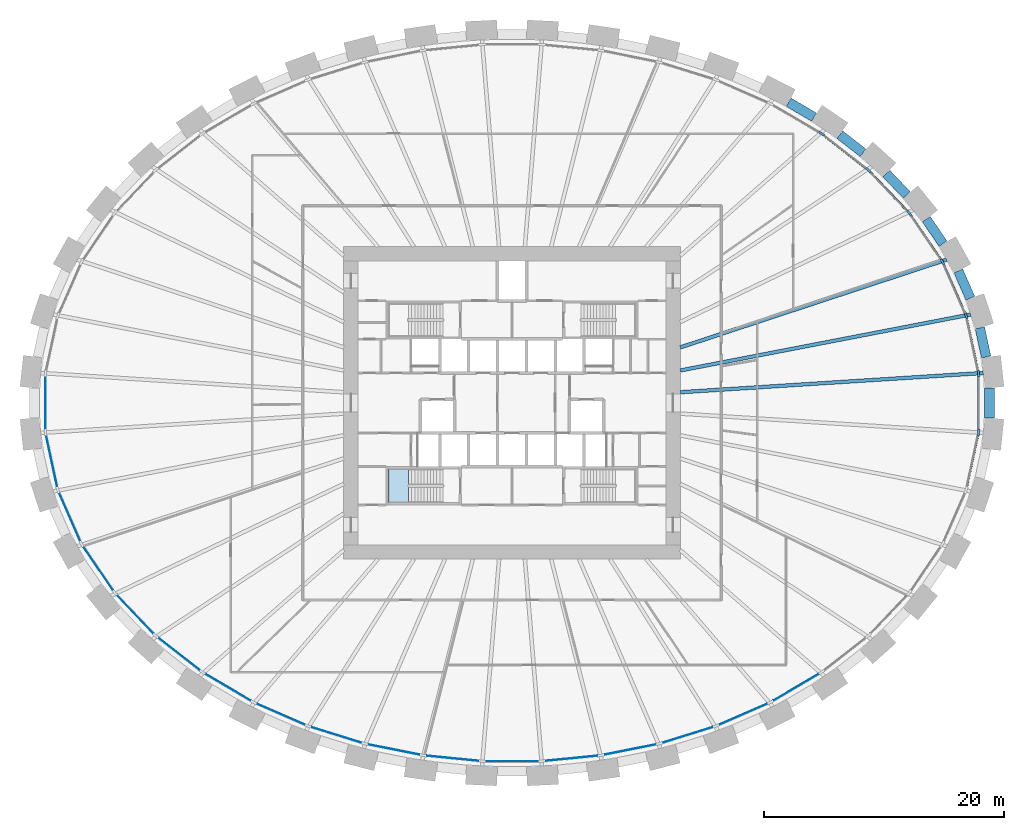
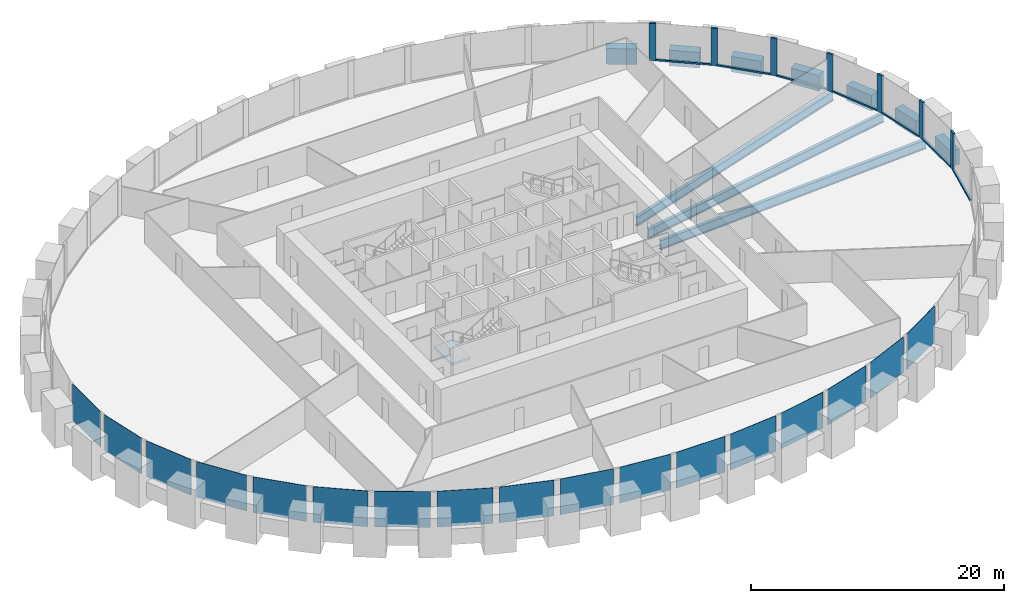
# One storey, part 4 of 11: 17 plates, 14 members, 10 beams, 1 slab, 2 elements without a shape of their own.
"""IFC4 building model written with IfcOpenShell, lengths in metres."""

from ifc_helpers import new_model, si_unit, direction, frame, origin, origin_2d, place, context, subcontext, project, spatial, polyline, rectangle, i_section, outline, extrude, source, transform, mapped, material, layer, layer_set, material_profile, profile_set, type_object, element, aggregate, save


model = new_model("IFC4")

# Units and contexts
model_context = context("Model", 3, precision=1e-05, world=origin(), true_north=direction((0.0, 1.0)))
body_context = subcontext(model_context, "Body", "Model", "MODEL_VIEW")
ifc_project = project(units=[si_unit("LENGTHUNIT", "METRE"), si_unit("AREAUNIT", "SQUARE_METRE"), si_unit("VOLUMEUNIT", "CUBIC_METRE"), si_unit("PLANEANGLEUNIT", "RADIAN"), si_unit("MASSUNIT", "GRAM", prefix="KILO")], contexts=[model_context])

# Site, building, storey
site_placement = place(None, origin())
site = spatial("IfcSite", under=ifc_project, at=site_placement, CompositionType="ELEMENT")
building_placement = place(site_placement, origin())
building = spatial("IfcBuilding", under=site, at=building_placement, Name="Embergate Tower", CompositionType="ELEMENT")
storey_placement = place(building_placement, frame((0.0, 0.0, 49.699951171875)))
storey = spatial("IfcBuildingStorey", under=building, at=storey_placement, Name="L08", CompositionType="ELEMENT", Elevation=49.699951171875)

# Beams
ifc_material_1 = material(Name="Concrete C70", Category="concrete")
ifc_material_profile_1 = material_profile(ifc_material_1, rectangle(XDim=0.800048828125, YDim=1.5, at=origin_2d()), Name="RC 800x1500")
ifc_profile_set_1 = profile_set([ifc_material_profile_1], Name="Concrete C70")
beam_type_1 = type_object("IfcBeamType", Name="Spandrel beam RC 800x1500 C70", PredefinedType="BEAM", material=ifc_profile_set_1)
shared_shape_1 = source(origin(), body_context, "Body", "SweptSolid", [
    extrude(rectangle(XDim=0.800048828125, YDim=1.5, at=origin_2d()), origin(), (0.0, 0.0, 1.0), 2.47412109375),
])
beam_1_placement = place(storey_placement, frame((39.444091796875, 3.823974609375, 0.0), z_axis=(-0.210175960292, 0.977663574915, 0.0), x_axis=(-0.977663574915, -0.210175960292, 0.0)))
element("IfcBeam", 1, at=beam_1_placement, inside=storey, type_object=beam_type_1, Name="SPN-L08-00", PredefinedType="BEAM", context=body_context, shape_type="MappedRepresentation", body=[
    mapped(shared_shape_1, transform((0.0, 0.0, 0.0))),
])
shared_shape_2 = source(origin(), body_context, "Body", "SweptSolid", [
    extrude(rectangle(XDim=0.800048828125, YDim=1.5, at=origin_2d()), origin(), (0.0, 0.0, 1.0), 2.470703125),
])
beam_2_placement = place(storey_placement, frame((38.1240234375, 8.717041015625, 0.0), z_axis=(-0.401466670854, 0.915873633311, 0.0), x_axis=(-0.915873633311, -0.401466670854, 0.0)))
element("IfcBeam", 2, at=beam_2_placement, inside=storey, type_object=beam_type_1, Name="SPN-L08-01", PredefinedType="BEAM", context=body_context, shape_type="MappedRepresentation", body=[
    mapped(shared_shape_2, transform((0.0, 0.0, 0.0))),
])
shared_shape_3 = source(origin(), body_context, "Body", "SweptSolid", [
    extrude(rectangle(XDim=0.800048828125, YDim=1.5, at=origin_2d()), origin(), (0.0, 0.0, 1.0), 2.46240234375),
])
beam_3_placement = place(storey_placement, frame((35.85595703125, 13.2451171875, 0.0), z_axis=(-0.562478152622, 0.826812147844, 0.0), x_axis=(-0.826812147844, -0.562478152622, 0.0)))
element("IfcBeam", 3, at=beam_3_placement, inside=storey, type_object=beam_type_1, Name="SPN-L08-02", PredefinedType="BEAM", context=body_context, shape_type="MappedRepresentation", body=[
    mapped(shared_shape_3, transform((0.0, 0.0, 0.0))),
])
shared_shape_4 = source(origin(), body_context, "Body", "SweptSolid", [
    extrude(rectangle(XDim=0.800048828125, YDim=1.5, at=origin_2d()), origin(), (0.0, 0.0, 1.0), 2.454345703125),
])
beam_4_placement = place(storey_placement, frame((32.837890625, 17.303955078125, 0.0), z_axis=(-0.690146821467, 0.723669375349, 0.0), x_axis=(-0.723669375349, -0.690146821467, 0.0)))
element("IfcBeam", 4, at=beam_4_placement, inside=storey, type_object=beam_type_1, Name="SPN-L08-03", PredefinedType="BEAM", context=body_context, shape_type="MappedRepresentation", body=[
    mapped(shared_shape_4, transform((0.0, 0.0, 0.0))),
])
shared_shape_5 = source(origin(), body_context, "Body", "SweptSolid", [
    extrude(rectangle(XDim=0.800048828125, YDim=1.5, at=origin_2d()), origin(), (0.0, 0.0, 1.0), 2.446533203125),
])
beam_5_placement = place(storey_placement, frame((29.202880859375, 20.81005859375, 0.0), z_axis=(-0.788443262058, 0.615107488587, 0.0), x_axis=(-0.615107488587, -0.788443262058, 0.0)))
element("IfcBeam", 5, at=beam_5_placement, inside=storey, type_object=beam_type_1, Name="SPN-L08-04", PredefinedType="BEAM", context=body_context, shape_type="MappedRepresentation", body=[
    mapped(shared_shape_5, transform((0.0, 0.0, 0.0))),
])
shared_shape_6 = source(origin(), body_context, "Body", "SweptSolid", [
    extrude(rectangle(XDim=0.800048828125, YDim=1.5, at=origin_2d()), origin(), (0.0, 0.0, 1.0), 2.440673828125),
])
beam_6_placement = place(storey_placement, frame((25.1240234375, 23.777099609375, 0.0), z_axis=(-0.86208332714, 0.506766550857, 0.0), x_axis=(-0.506766550857, -0.86208332714, 0.0)))
element("IfcBeam", 6, at=beam_6_placement, inside=storey, type_object=beam_type_1, Name="SPN-L08-05", PredefinedType="BEAM", context=body_context, shape_type="MappedRepresentation", body=[
    mapped(shared_shape_6, transform((0.0, 0.0, 0.0))),
])
shared_shape_7 = source(origin(), body_context, "Body", "SweptSolid", [
    extrude(rectangle(XDim=0.800048828125, YDim=1.5, at=origin_2d()), origin(), (0.0, 0.0, 1.0), 2.47802734375),
])
beam_7_placement = place(storey_placement, frame((39.719970703125, -1.239013671875, 0.0), z_axis=(0.0, 1.0, 0.0), x_axis=(-1.0, 0.0, 0.0)))
element("IfcBeam", 7, at=beam_7_placement, inside=storey, type_object=beam_type_1, Name="SPN-L08-43", PredefinedType="BEAM", context=body_context, shape_type="MappedRepresentation", body=[
    mapped(shared_shape_7, transform((0.0, 0.0, 0.0))),
])
ifc_material_2 = material(Name="Steel Q355B", Category="steel")
ifc_material_profile_2 = material_profile(ifc_material_2, i_section(OverallWidth=0.300048828125, OverallDepth=0.89990234375, WebThickness=0.01611328125, FlangeThickness=0.028076171875, FilletRadius=0.028076171875, at=origin_2d()), Name="HN 900x300x16x28")
ifc_profile_set_2 = profile_set([ifc_material_profile_2], Name="Steel Q355 grade B")
beam_type_2 = type_object("IfcBeamType", Name="Radial girder HN 900x300x16x28", PredefinedType="BEAM", material=ifc_profile_set_2)
shared_shape_8 = source(origin(), body_context, "Body", "SweptSolid", [
    extrude(i_section(OverallWidth=0.300048828125, OverallDepth=0.89990234375, WebThickness=0.01611328125, FlangeThickness=0.028076171875, FilletRadius=0.028076171875, at=origin_2d()), origin(), (0.0, 0.0, 1.0), 25.250732421875),
])
beam_8_placement = place(storey_placement, frame((39.199951171875, 2.490966796875, -0.64990234375), z_axis=(-0.997987753724, -0.063406966633, 0.0), x_axis=(0.063406966633, -0.997987753724, 0.0)))
element("IfcBeam", 8, at=beam_8_placement, inside=storey, type_object=beam_type_2, Name="GIR-L08-00", PredefinedType="BEAM", context=body_context, shape_type="MappedRepresentation", body=[
    mapped(shared_shape_8, transform((0.0, 0.0, 0.0))),
])
shared_shape_9 = source(origin(), body_context, "Body", "SweptSolid", [
    extrude(i_section(OverallWidth=0.300048828125, OverallDepth=0.89990234375, WebThickness=0.01611328125, FlangeThickness=0.028076171875, FilletRadius=0.028076171875, at=origin_2d()), origin(), (0.0, 0.0, 1.0), 24.59619140625),
])
beam_9_placement = place(storey_placement, frame((38.15087890625, 7.35888671875, -0.64990234375), z_axis=(-0.981896685323, -0.18941726255, 0.0), x_axis=(0.18941726255, -0.981896685323, 0.0)))
element("IfcBeam", 9, at=beam_9_placement, inside=storey, type_object=beam_type_2, Name="GIR-L08-01", PredefinedType="BEAM", context=body_context, shape_type="MappedRepresentation", body=[
    mapped(shared_shape_9, transform((0.0, 0.0, 0.0))),
])
shared_shape_10 = source(origin(), body_context, "Body", "SweptSolid", [
    extrude(i_section(OverallWidth=0.300048828125, OverallDepth=0.89990234375, WebThickness=0.01611328125, FlangeThickness=0.028076171875, FilletRadius=0.028076171875, at=origin_2d()), origin(), (0.0, 0.0, 1.0), 23.324462890625),
])
beam_10_placement = place(storey_placement, frame((36.15087890625, 11.922119140625, -0.64990234375), z_axis=(-0.949687504939, -0.313199046873, 0.0), x_axis=(0.313199046873, -0.949687504939, 0.0)))
element("IfcBeam", 10, at=beam_10_placement, inside=storey, type_object=beam_type_2, Name="GIR-L08-02", PredefinedType="BEAM", context=body_context, shape_type="MappedRepresentation", body=[
    mapped(shared_shape_10, transform((0.0, 0.0, 0.0))),
])

# Curtain wall, members, plates
ifc_material_3 = material(Name="Aluminium and glass", Category="aluminium")
curtain_wall_type = type_object("IfcCurtainWallType", Name="Recessed office glazing", PredefinedType="NOTDEFINED", material=ifc_material_3)
curtain_wall_placement = place(storey_placement, origin())
curtain_wall = element("IfcCurtainWall", 11, at=curtain_wall_placement, inside=storey, type_object=curtain_wall_type, Name="Recessed office glazing ring", ObjectType="RECESSED OFFICE GLAZING", PredefinedType="USERDEFINED")
ifc_material_4 = material(Name="Aluminium, thermally broken", Category="aluminium")
ifc_material_profile_3 = material_profile(ifc_material_4, rectangle(XDim=0.179931640625, YDim=0.14990234375, at=origin_2d()), Name="AL 150x180")
ifc_profile_set_3 = profile_set([ifc_material_profile_3], Name="Aluminium, thermally broken")
member_type_1 = type_object("IfcMemberType", Name="Office sill transom", PredefinedType="USERDEFINED", material=ifc_profile_set_3)
shared_shape_11 = source(origin(), body_context, "Body", "SweptSolid", [
    extrude(rectangle(XDim=0.179931640625, YDim=0.14990234375, at=origin_2d()), origin(), (0.0, 0.0, 1.0), 4.379638671875),
])
member_1_placement = place(storey_placement, frame((38.757080078125, 2.70263671875, 0.074951171875), z_axis=(-0.210374128921, 0.977620952047, 0.0), x_axis=(-0.977620952047, -0.210374128921, 0.0)))
member_1 = element("IfcMember", 12, at=member_1_placement, type_object=member_type_1, Name="CW transom 1.1", ObjectType="TRANSOM", PredefinedType="USERDEFINED", context=body_context, shape_type="MappedRepresentation", body=[
    mapped(shared_shape_11, transform((0.0, 0.0, 0.0))),
])
member_2_placement = place(storey_placement, frame((37.835693359375, -6.984375, 0.074951171875), z_axis=(0.210374128921, 0.977620952047, 0.0), x_axis=(-0.977620952047, 0.210374128921, 0.0)))
member_2 = element("IfcMember", 13, at=member_2_placement, type_object=member_type_1, Name="CW transom 43.1", ObjectType="TRANSOM", PredefinedType="USERDEFINED", context=body_context, shape_type="MappedRepresentation", body=[
    mapped(shared_shape_11, transform((0.0, 0.0, 0.0))),
])
shared_shape_12 = source(origin(), body_context, "Body", "SweptSolid", [
    extrude(rectangle(XDim=0.179931640625, YDim=0.14990234375, at=origin_2d()), origin(), (0.0, 0.0, 1.0), 4.38671875),
])
member_3_placement = place(storey_placement, frame((37.676513671875, 7.4765625, 0.074951171875), z_axis=(-0.401656581877, 0.915790363694, 0.0), x_axis=(-0.915790363694, -0.401656581877, 0.0)))
member_3 = element("IfcMember", 14, at=member_3_placement, type_object=member_type_1, Name="CW transom 2.1", ObjectType="TRANSOM", PredefinedType="USERDEFINED", context=body_context, shape_type="MappedRepresentation", body=[
    mapped(shared_shape_12, transform((0.0, 0.0, 0.0))),
])
shared_shape_13 = source(origin(), body_context, "Body", "SweptSolid", [
    extrude(rectangle(XDim=0.179931640625, YDim=0.14990234375, at=origin_2d()), origin(), (0.0, 0.0, 1.0), 4.395751953125),
])
member_4_placement = place(storey_placement, frame((35.663818359375, 11.947021484375, 0.074951171875), z_axis=(-0.562354076768, 0.826896542708, 0.0), x_axis=(-0.826896542708, -0.562354076768, 0.0)))
member_4 = element("IfcMember", 15, at=member_4_placement, type_object=member_type_1, Name="CW transom 3.1", ObjectType="TRANSOM", PredefinedType="USERDEFINED", context=body_context, shape_type="MappedRepresentation", body=[
    mapped(shared_shape_13, transform((0.0, 0.0, 0.0))),
])
shared_shape_14 = source(origin(), body_context, "Body", "SweptSolid", [
    extrude(rectangle(XDim=0.179931640625, YDim=0.14990234375, at=origin_2d()), origin(), (0.0, 0.0, 1.0), 4.404296875),
])
member_5_placement = place(storey_placement, frame((32.866455078125, 15.985107421875, 0.074951171875), z_axis=(-0.690139479121, 0.723676377504, 0.0), x_axis=(-0.723676377504, -0.690139479121, 0.0)))
member_5 = element("IfcMember", 16, at=member_5_placement, type_object=member_type_1, Name="CW transom 4.1", ObjectType="TRANSOM", PredefinedType="USERDEFINED", context=body_context, shape_type="MappedRepresentation", body=[
    mapped(shared_shape_14, transform((0.0, 0.0, 0.0))),
])
shared_shape_15 = source(origin(), body_context, "Body", "SweptSolid", [
    extrude(rectangle(XDim=0.179931640625, YDim=0.14990234375, at=origin_2d()), origin(), (0.0, 0.0, 1.0), 4.412109375),
])
member_6_placement = place(storey_placement, frame((29.4423828125, 19.5205078125, 0.074951171875), z_axis=(-0.788311201142, 0.615276726485, 0.0), x_axis=(-0.615276726485, -0.788311201142, 0.0)))
member_6 = element("IfcMember", 17, at=member_6_placement, type_object=member_type_1, Name="CW transom 5.1", ObjectType="TRANSOM", PredefinedType="USERDEFINED", context=body_context, shape_type="MappedRepresentation", body=[
    mapped(shared_shape_15, transform((0.0, 0.0, 0.0))),
])
shared_shape_16 = source(origin(), body_context, "Body", "SweptSolid", [
    extrude(rectangle(XDim=0.179931640625, YDim=0.14990234375, at=origin_2d()), origin(), (0.0, 0.0, 1.0), 4.376953125),
])
member_7_placement = place(storey_placement, frame((38.811767578125, -2.1884765625, 0.074951171875), z_axis=(0.0, 1.0, 0.0), x_axis=(-1.0, 0.0, 0.0)))
member_7 = element("IfcMember", 18, at=member_7_placement, type_object=member_type_1, Name="CW transom 44.1", ObjectType="TRANSOM", PredefinedType="USERDEFINED", context=body_context, shape_type="MappedRepresentation", body=[
    mapped(shared_shape_16, transform((0.0, 0.0, 0.0))),
])
ifc_material_profile_4 = material_profile(ifc_material_4, rectangle(XDim=0.179931640625, YDim=0.52001953125, at=origin_2d()), Name="AL 520x180")
ifc_profile_set_4 = profile_set([ifc_material_profile_4], Name="Aluminium, thermally broken")
member_type_2 = type_object("IfcMemberType", Name="Office mullion", PredefinedType="MULLION", material=ifc_profile_set_4)
shared_shape_17 = source(origin(), body_context, "Body", "SweptSolid", [
    extrude(rectangle(XDim=0.179931640625, YDim=0.52001953125, at=origin_2d()), origin(), (0.0, 0.0, 1.0), 3.60009765625),
])
member_8_placement = place(storey_placement, frame((38.811767578125, 2.448486328125, 0.0), z_axis=(0.0, 0.0, 1.0), x_axis=(-0.994385139431, -0.105821521816, 0.0)))
member_8 = element("IfcMember", 19, at=member_8_placement, type_object=member_type_2, Name="CW mullion 1", PredefinedType="MULLION", context=body_context, shape_type="MappedRepresentation", body=[
    mapped(shared_shape_17, transform((0.0, 0.0, 0.0))),
])
member_9_placement = place(storey_placement, frame((37.781005859375, 7.238525390625, 0.0), z_axis=(0.0, 0.0, 1.0), x_axis=(-0.95149940886, -0.307650572791, 0.0)))
member_9 = element("IfcMember", 20, at=member_9_placement, type_object=member_type_2, Name="CW mullion 2", PredefinedType="MULLION", context=body_context, shape_type="MappedRepresentation", body=[
    mapped(shared_shape_17, transform((0.0, 0.0, 0.0))),
])
member_10_placement = place(storey_placement, frame((35.81005859375, 11.732177734375, 0.0), z_axis=(0.0, 0.0, 1.0), x_axis=(-0.875004430664, -0.484114910242, 0.0)))
member_10 = element("IfcMember", 21, at=member_10_placement, type_object=member_type_2, Name="CW mullion 3", PredefinedType="MULLION", context=body_context, shape_type="MappedRepresentation", body=[
    mapped(shared_shape_17, transform((0.0, 0.0, 0.0))),
])
member_11_placement = place(storey_placement, frame((33.0458984375, 15.796875, 0.0), z_axis=(0.0, 0.0, 1.0), x_axis=(-0.777875854755, -0.628417977615, 0.0)))
member_11 = element("IfcMember", 22, at=member_11_placement, type_object=member_type_2, Name="CW mullion 4", PredefinedType="MULLION", context=body_context, shape_type="MappedRepresentation", body=[
    mapped(shared_shape_17, transform((0.0, 0.0, 0.0))),
])
member_12_placement = place(storey_placement, frame((29.647216796875, 19.360595703125, 0.0), z_axis=(0.0, 0.0, 1.0), x_axis=(-0.671229121411, -0.741249935292, 0.0)))
member_12 = element("IfcMember", 23, at=member_12_placement, type_object=member_type_2, Name="CW mullion 5", PredefinedType="MULLION", context=body_context, shape_type="MappedRepresentation", body=[
    mapped(shared_shape_17, transform((0.0, 0.0, 0.0))),
])
member_13_placement = place(storey_placement, frame((25.759521484375, 22.39501953125, 0.0), z_axis=(0.0, 0.0, 1.0), x_axis=(-0.562217618544, -0.826989328467, 0.0)))
member_13 = element("IfcMember", 24, at=member_13_placement, type_object=member_type_2, Name="CW mullion 6", PredefinedType="MULLION", context=body_context, shape_type="MappedRepresentation", body=[
    mapped(shared_shape_17, transform((0.0, 0.0, 0.0))),
])
member_14_placement = place(storey_placement, frame((38.811767578125, -2.448486328125, 0.0), z_axis=(0.0, 0.0, 1.0), x_axis=(-0.994385139431, 0.105821521816, 0.0)))
member_14 = element("IfcMember", 25, at=member_14_placement, type_object=member_type_2, Name="CW mullion 44", PredefinedType="MULLION", context=body_context, shape_type="MappedRepresentation", body=[
    mapped(shared_shape_17, transform((0.0, 0.0, 0.0))),
])
ifc_material_5 = material(Name="Triple glazing, low-emissivity coating", Category="glass")
ifc_layer_1 = layer(ifc_material_5, 0.035888671875)
ifc_layer_set_1 = layer_set([ifc_layer_1], Name="Triple glazing, low-emissivity coating")
plate_type = type_object("IfcPlateType", Name="Office glazing unit", PredefinedType="CURTAIN_PANEL", material=ifc_layer_set_1)
shared_shape_18 = source(origin(), body_context, "Body", "SweptSolid", [
    extrude(rectangle(XDim=4.379638671875, YDim=0.035888671875, at=origin_2d()), origin(), (0.0, 0.0, 1.0), 3.449951171875),
])
plate_1_placement = place(storey_placement, frame((-38.29638671875, -4.843505859375, 0.14990234375), z_axis=(0.0, 0.0, 1.0), x_axis=(0.210398391177, -0.97761573074, 0.0)))
plate_1 = element("IfcPlate", 26, at=plate_1_placement, type_object=plate_type, Name="CW panel 23.1", PredefinedType="CURTAIN_PANEL", context=body_context, shape_type="MappedRepresentation", body=[
    mapped(shared_shape_18, transform((0.0, 0.0, 0.0))),
])
shared_shape_19 = source(origin(), body_context, "Body", "SweptSolid", [
    extrude(rectangle(XDim=4.38671875, YDim=0.035888671875, at=origin_2d()), origin(), (0.0, 0.0, 1.0), 3.449951171875),
])
plate_2_placement = place(storey_placement, frame((-36.79541015625, -9.4853515625, 0.14990234375), z_axis=(0.0, 0.0, 1.0), x_axis=(0.401652101157, -0.91579232888, 0.0)))
plate_2 = element("IfcPlate", 27, at=plate_2_placement, type_object=plate_type, Name="CW panel 24.1", PredefinedType="CURTAIN_PANEL", context=body_context, shape_type="MappedRepresentation", body=[
    mapped(shared_shape_19, transform((0.0, 0.0, 0.0))),
])
shared_shape_20 = source(origin(), body_context, "Body", "SweptSolid", [
    extrude(rectangle(XDim=4.3955078125, YDim=0.035888671875, at=origin_2d()), origin(), (0.0, 0.0, 1.0), 3.449951171875),
])
plate_3_placement = place(storey_placement, frame((-34.427978515625, -13.764404296875, 0.14990234375), z_axis=(0.0, 0.0, 1.0), x_axis=(0.562341741915, -0.826904931234, 0.0)))
plate_3 = element("IfcPlate", 28, at=plate_3_placement, type_object=plate_type, Name="CW panel 25.1", PredefinedType="CURTAIN_PANEL", context=body_context, shape_type="MappedRepresentation", body=[
    mapped(shared_shape_20, transform((0.0, 0.0, 0.0))),
])
shared_shape_21 = source(origin(), body_context, "Body", "SweptSolid", [
    extrude(rectangle(XDim=4.404296875, YDim=0.035888671875, at=origin_2d()), origin(), (0.0, 0.0, 1.0), 3.449951171875),
])
plate_4_placement = place(storey_placement, frame((-31.3466796875, -17.57861328125, 0.14990234375), z_axis=(0.0, 0.0, 1.0), x_axis=(0.690135047526, -0.723680603703, 0.0)))
plate_4 = element("IfcPlate", 29, at=plate_4_placement, type_object=plate_type, Name="CW panel 26.1", PredefinedType="CURTAIN_PANEL", context=body_context, shape_type="MappedRepresentation", body=[
    mapped(shared_shape_21, transform((0.0, 0.0, 0.0))),
])
shared_shape_22 = source(origin(), body_context, "Body", "SweptSolid", [
    extrude(rectangle(XDim=4.411865234375, YDim=0.035888671875, at=origin_2d()), origin(), (0.0, 0.0, 1.0), 3.449951171875),
])
plate_5_placement = place(storey_placement, frame((-27.703369140625, -20.877685546875, 0.14990234375), z_axis=(0.0, 0.0, 1.0), x_axis=(0.788320119254, -0.615265300158, 0.0)))
plate_5 = element("IfcPlate", 30, at=plate_5_placement, type_object=plate_type, Name="CW panel 27.1", PredefinedType="CURTAIN_PANEL", context=body_context, shape_type="MappedRepresentation", body=[
    mapped(shared_shape_22, transform((0.0, 0.0, 0.0))),
])
shared_shape_23 = source(origin(), body_context, "Body", "SweptSolid", [
    extrude(rectangle(XDim=4.41796875, YDim=0.035888671875, at=origin_2d()), origin(), (0.0, 0.0, 1.0), 3.449951171875),
])
plate_6_placement = place(storey_placement, frame((-23.631103515625, -23.646240234375, 0.14990234375), z_axis=(0.0, 0.0, 1.0), x_axis=(0.862053167811, -0.50681785275, 0.0)))
plate_6 = element("IfcPlate", 31, at=plate_6_placement, type_object=plate_type, Name="CW panel 28.1", PredefinedType="CURTAIN_PANEL", context=body_context, shape_type="MappedRepresentation", body=[
    mapped(shared_shape_23, transform((0.0, 0.0, 0.0))),
])
plate_7_placement = place(storey_placement, frame((23.631103515625, -23.646240234375, 0.14990234375), z_axis=(0.0, 0.0, 1.0), x_axis=(0.862053167811, 0.50681785275, 0.0)))
plate_7 = element("IfcPlate", 32, at=plate_7_placement, type_object=plate_type, Name="CW panel 38.1", PredefinedType="CURTAIN_PANEL", context=body_context, shape_type="MappedRepresentation", body=[
    mapped(shared_shape_23, transform((0.0, 0.0, 0.0))),
])
shared_shape_24 = source(origin(), body_context, "Body", "SweptSolid", [
    extrude(rectangle(XDim=4.422607421875, YDim=0.035888671875, at=origin_2d()), origin(), (0.0, 0.0, 1.0), 3.449951171875),
])
plate_8_placement = place(storey_placement, frame((-19.23828125, -25.8876953125, 0.14990234375), z_axis=(0.0, 0.0, 1.0), x_axis=(0.916236211741, -0.400638495772, 0.0)))
plate_8 = element("IfcPlate", 33, at=plate_8_placement, type_object=plate_type, Name="CW panel 29.1", PredefinedType="CURTAIN_PANEL", context=body_context, shape_type="MappedRepresentation", body=[
    mapped(shared_shape_24, transform((0.0, 0.0, 0.0))),
])
plate_9_placement = place(storey_placement, frame((19.23828125, -25.8876953125, 0.14990234375), z_axis=(0.0, 0.0, 1.0), x_axis=(0.916236211741, 0.400638495772, 0.0)))
plate_9 = element("IfcPlate", 34, at=plate_9_placement, type_object=plate_type, Name="CW panel 37.1", PredefinedType="CURTAIN_PANEL", context=body_context, shape_type="MappedRepresentation", body=[
    mapped(shared_shape_24, transform((0.0, 0.0, 0.0))),
])
shared_shape_25 = source(origin(), body_context, "Body", "SweptSolid", [
    extrude(rectangle(XDim=4.42578125, YDim=0.035888671875, at=origin_2d()), origin(), (0.0, 0.0, 1.0), 3.449951171875),
])
plate_10_placement = place(storey_placement, frame((-14.613037109375, -27.613037109375, 0.14990234375), z_axis=(0.0, 0.0, 1.0), x_axis=(0.954772217174, -0.297338213676, 0.0)))
plate_10 = element("IfcPlate", 35, at=plate_10_placement, type_object=plate_type, Name="CW panel 30.1", PredefinedType="CURTAIN_PANEL", context=body_context, shape_type="MappedRepresentation", body=[
    mapped(shared_shape_25, transform((0.0, 0.0, 0.0))),
])
plate_11_placement = place(storey_placement, frame((14.613037109375, -27.613037109375, 0.14990234375), z_axis=(0.0, 0.0, 1.0), x_axis=(0.954772217174, 0.297338213676, 0.0)))
plate_11 = element("IfcPlate", 36, at=plate_11_placement, type_object=plate_type, Name="CW panel 36.1", PredefinedType="CURTAIN_PANEL", context=body_context, shape_type="MappedRepresentation", body=[
    mapped(shared_shape_25, transform((0.0, 0.0, 0.0))),
])
shared_shape_26 = source(origin(), body_context, "Body", "SweptSolid", [
    extrude(rectangle(XDim=4.427978515625, YDim=0.035888671875, at=origin_2d()), origin(), (0.0, 0.0, 1.0), 3.449951171875),
])
plate_12_placement = place(storey_placement, frame((-9.826171875, -28.8349609375, 0.14990234375), z_axis=(0.0, 0.0, 1.0), x_axis=(0.980475907409, -0.196639250889, 0.0)))
plate_12 = element("IfcPlate", 37, at=plate_12_placement, type_object=plate_type, Name="CW panel 31.1", PredefinedType="CURTAIN_PANEL", context=body_context, shape_type="MappedRepresentation", body=[
    mapped(shared_shape_26, transform((0.0, 0.0, 0.0))),
])
plate_13_placement = place(storey_placement, frame((9.826171875, -28.8349609375, 0.14990234375), z_axis=(0.0, 0.0, 1.0), x_axis=(0.980475907409, 0.196639250889, 0.0)))
plate_13 = element("IfcPlate", 38, at=plate_13_placement, type_object=plate_type, Name="CW panel 35.1", PredefinedType="CURTAIN_PANEL", context=body_context, shape_type="MappedRepresentation", body=[
    mapped(shared_shape_26, transform((0.0, 0.0, 0.0))),
])
shared_shape_27 = source(origin(), body_context, "Body", "SweptSolid", [
    extrude(rectangle(XDim=4.42919921875, YDim=0.035888671875, at=origin_2d()), origin(), (0.0, 0.0, 1.0), 3.449951171875),
])
plate_14_placement = place(storey_placement, frame((-4.937744140625, -29.5634765625, 0.14990234375), z_axis=(0.0, 0.0, 1.0), x_axis=(0.995203184788, -0.097829550688, 0.0)))
plate_14 = element("IfcPlate", 39, at=plate_14_placement, type_object=plate_type, Name="CW panel 32.1", PredefinedType="CURTAIN_PANEL", context=body_context, shape_type="MappedRepresentation", body=[
    mapped(shared_shape_27, transform((0.0, 0.0, 0.0))),
])
plate_15_placement = place(storey_placement, frame((4.937744140625, -29.5634765625, 0.14990234375), z_axis=(0.0, 0.0, 1.0), x_axis=(0.995203184788, 0.097829550688, 0.0)))
plate_15 = element("IfcPlate", 40, at=plate_15_placement, type_object=plate_type, Name="CW panel 34.1", PredefinedType="CURTAIN_PANEL", context=body_context, shape_type="MappedRepresentation", body=[
    mapped(shared_shape_27, transform((0.0, 0.0, 0.0))),
])
shared_shape_28 = source(origin(), body_context, "Body", "SweptSolid", [
    extrude(rectangle(XDim=4.4296875, YDim=0.035888671875, at=origin_2d()), origin(), (0.0, 0.0, 1.0), 3.449951171875),
])
plate_16_placement = place(storey_placement, frame((0.0, -29.8056640625, 0.14990234375), z_axis=(0.0, 0.0, 1.0), x_axis=(1.0, 0.0, 0.0)))
plate_16 = element("IfcPlate", 41, at=plate_16_placement, type_object=plate_type, Name="CW panel 33.1", PredefinedType="CURTAIN_PANEL", context=body_context, shape_type="MappedRepresentation", body=[
    mapped(shared_shape_28, transform((0.0, 0.0, 0.0))),
])
shared_shape_29 = source(origin(), body_context, "Body", "SweptSolid", [
    extrude(rectangle(XDim=4.376953125, YDim=0.035888671875, at=origin_2d()), origin(), (0.0, 0.0, 1.0), 3.449951171875),
])
plate_17_placement = place(storey_placement, frame((-38.811767578125, 0.0, 0.14990234375), z_axis=(0.0, 0.0, 1.0), x_axis=(0.0, -1.0, 0.0)))
plate_17 = element("IfcPlate", 42, at=plate_17_placement, type_object=plate_type, Name="CW panel 22.1", PredefinedType="CURTAIN_PANEL", context=body_context, shape_type="MappedRepresentation", body=[
    mapped(shared_shape_29, transform((0.0, 0.0, 0.0))),
])
aggregate(curtain_wall, [member_8, member_9, member_10, member_11, member_12, member_13, member_14, member_1, member_3, member_4, member_5, member_6, plate_17, plate_1, plate_2, plate_3, plate_4, plate_5, plate_6, plate_8, plate_10, plate_12, plate_14, plate_16, plate_15, plate_13, plate_11, plate_9, plate_7, member_2, member_7])

# Stair, slab
ifc_material_6 = material(Name="Exit stair")
stair_type = type_object("IfcStairType", Name="Exit stair", PredefinedType="HALF_TURN_STAIR", material=ifc_material_6)
stair_placement = place(storey_placement, origin())
stair = element("IfcStair", 43, at=stair_placement, inside=storey, type_object=stair_type, Name="L08 Exit stair 3", PredefinedType="HALF_TURN_STAIR")
ifc_material_7 = material(Name="Concrete C40", Category="concrete")
ifc_layer_2 = layer(ifc_material_7, 0.199951171875)
ifc_layer_set_2 = layer_set([ifc_layer_2], Name="Concrete C40")
slab_type = type_object("IfcSlabType", Name="Stair landing reinforced concrete", PredefinedType="LANDING", material=ifc_layer_set_2)
shared_shape_30 = source(origin(), body_context, "Body", "SweptSolid", [
    extrude(outline(polyline([(0.0, 0.0), (1.68994140625, 0.0), (1.68994140625, 2.800048828125), (0.0, 2.800048828125), (0.0, 0.0)])), origin(), (0.0, 0.0, 1.0), 0.199951171875),
])
slab_placement = place(storey_placement, frame((-10.300048828125, -8.300048828125, 1.75)))
slab = element("IfcSlab", 44, at=slab_placement, type_object=slab_type, Name="ST3 landing 1", PredefinedType="LANDING", context=body_context, shape_type="MappedRepresentation", body=[
    mapped(shared_shape_30, transform((0.0, 0.0, 0.0))),
])
aggregate(stair, [slab])

save(model, "model.ifc")
